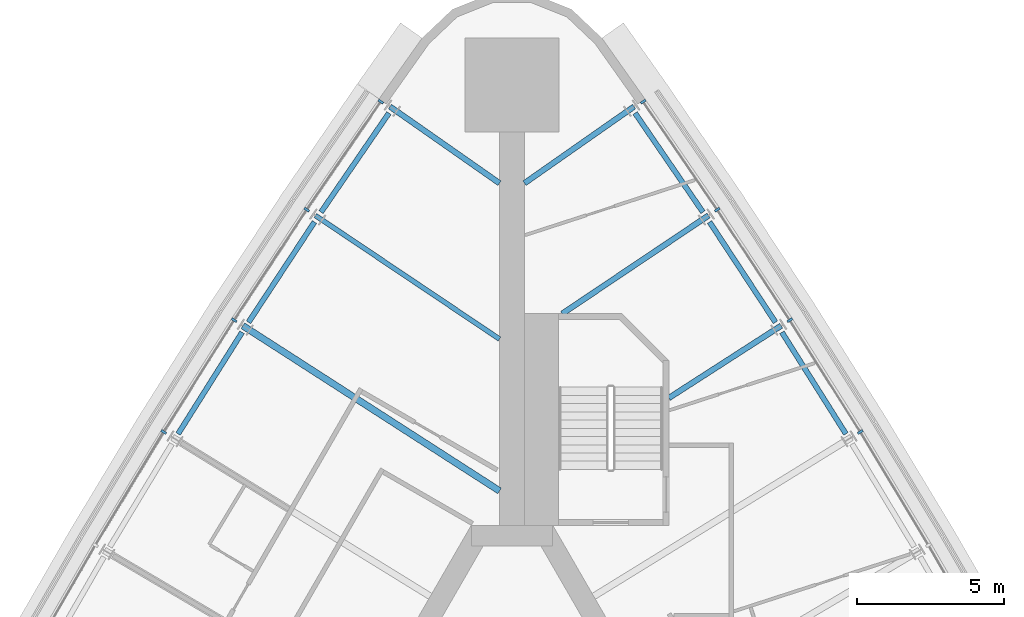
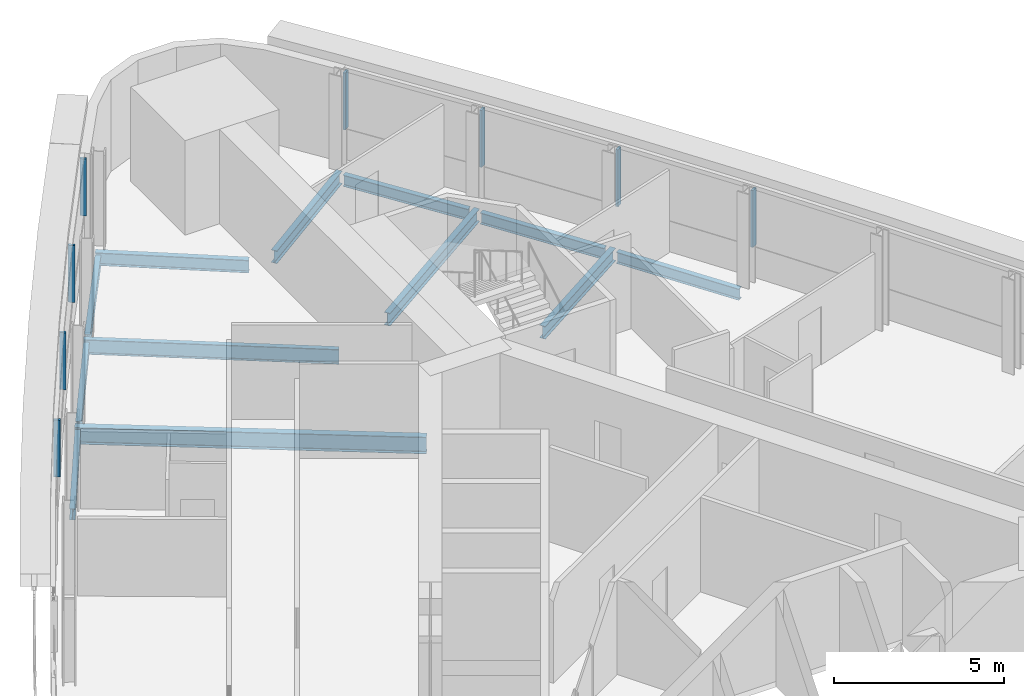
# One storey, part 7 of 14: 12 beams, 8 members, 2 elements without a shape of their own.
"""IFC4 building model written with IfcOpenShell, lengths in metres."""

from ifc_helpers import new_model, si_unit, direction, frame, origin, origin_2d, place, context, subcontext, project, spatial, rectangle, i_section, extrude, material, material_profile, profile_set, type_object, element, aggregate, save


model = new_model("IFC4")

# Units and contexts
model_context = context("Model", 3, precision=1e-05, world=origin(), true_north=direction((0.0, 1.0)))
body_context = subcontext(model_context, "Body", "Model", "MODEL_VIEW")
ifc_project = project(units=[si_unit("LENGTHUNIT", "METRE"), si_unit("AREAUNIT", "SQUARE_METRE"), si_unit("VOLUMEUNIT", "CUBIC_METRE"), si_unit("PLANEANGLEUNIT", "RADIAN"), si_unit("MASSUNIT", "GRAM", prefix="KILO")], contexts=[model_context])

# Site, building, storey
site_placement = place(None, origin())
site = spatial("IfcSite", under=ifc_project, at=site_placement, CompositionType="ELEMENT")
building_placement = place(site_placement, origin())
building = spatial("IfcBuilding", under=site, at=building_placement, Name="Noor Cloister Tower", CompositionType="ELEMENT")
storey_placement = place(building_placement, frame((0.0, 0.0, 72.60009765625)))
storey = spatial("IfcBuildingStorey", under=building, at=storey_placement, Name="L18", CompositionType="ELEMENT", Elevation=72.60009765625)

# Curtain wall, members
ifc_material_1 = material(Name="Aluminium 6063-T6 anodised", Category="aluminium")
curtain_wall_type = type_object("IfcCurtainWallType", Name="Ribbon curtain wall, lower tower CW1", PredefinedType="NOTDEFINED", material=ifc_material_1)
curtain_wall_1_placement = place(storey_placement, origin())
curtain_wall_1 = element("IfcCurtainWall", 1, at=curtain_wall_1_placement, inside=storey, type_object=curtain_wall_type, Name="CW1 L18 NW run 1", PredefinedType="NOTDEFINED")
ifc_material_2 = material(Name="Aluminium 6063-T6 anodised", Category="aluminium")
ifc_material_profile_1 = material_profile(ifc_material_2, rectangle(XDim=0.199951171875, YDim=0.080078125, at=origin_2d()), Name="200 x 80 mullion")
ifc_profile_set_1 = profile_set([ifc_material_profile_1], Name="Aluminium 6063-T6 anodised")
member_type = type_object("IfcMemberType", Name="Mullion CW1 80 x 200", PredefinedType="MULLION", material=ifc_profile_set_1)
member_1_placement = place(storey_placement, frame((-4.46435546875, 25.875732421875, 1.099853515625), z_axis=(0.0, 0.0, 1.0), x_axis=(0.82490173468, -0.56527615209, 0.0)))
member_1 = element("IfcMember", 2, at=member_1_placement, type_object=member_type, Name="CW1 mullion 1", PredefinedType="MULLION", context=body_context, shape_type="SweptSolid", body=[
    extrude(rectangle(XDim=0.199951171875, YDim=0.080078125, at=origin_2d()), origin(), (0.0, 0.0, 1.0), 2.050048828125),
])
member_2_placement = place(storey_placement, frame((-6.98486328125, 22.197509765625, 1.099853515625), z_axis=(0.0, 0.0, 1.0), x_axis=(0.830316014235, -0.557292846272, 0.0)))
member_2 = element("IfcMember", 3, at=member_2_placement, type_object=member_type, Name="CW1 mullion 2", PredefinedType="MULLION", context=body_context, shape_type="SweptSolid", body=[
    extrude(rectangle(XDim=0.199951171875, YDim=0.080078125, at=origin_2d()), origin(), (0.0, 0.0, 1.0), 2.050048828125),
])
member_3_placement = place(storey_placement, frame((-9.455322265625, 18.43896484375, 1.099853515625), z_axis=(0.0, 0.0, 1.0), x_axis=(0.840912290577, -0.541171432687, 0.0)))
member_3 = element("IfcMember", 4, at=member_3_placement, type_object=member_type, Name="CW1 mullion 3", PredefinedType="MULLION", context=body_context, shape_type="SweptSolid", body=[
    extrude(rectangle(XDim=0.199951171875, YDim=0.080078125, at=origin_2d()), origin(), (0.0, 0.0, 1.0), 2.050048828125),
])
member_4_placement = place(storey_placement, frame((-11.85302734375, 14.633056640625, 1.099853515625), z_axis=(0.0, 0.0, 1.0), x_axis=(0.851195604462, -0.524848590496, 0.0)))
member_4 = element("IfcMember", 5, at=member_4_placement, type_object=member_type, Name="CW1 mullion 4", PredefinedType="MULLION", context=body_context, shape_type="SweptSolid", body=[
    extrude(rectangle(XDim=0.199951171875, YDim=0.080078125, at=origin_2d()), origin(), (0.0, 0.0, 1.0), 2.050048828125),
])
aggregate(curtain_wall_1, [member_1, member_2, member_3, member_4])

curtain_wall_2_placement = place(storey_placement, origin())
curtain_wall_2 = element("IfcCurtainWall", 6, at=curtain_wall_2_placement, inside=storey, type_object=curtain_wall_type, Name="CW1 L18 NE run 3", PredefinedType="NOTDEFINED")
member_5_placement = place(storey_placement, frame((11.85302734375, 14.633056640625, 1.099853515625), z_axis=(0.0, 0.0, 1.0), x_axis=(-0.851195604462, -0.524848590496, 0.0)))
member_5 = element("IfcMember", 7, at=member_5_placement, type_object=member_type, Name="CW1 mullion 7", PredefinedType="MULLION", context=body_context, shape_type="SweptSolid", body=[
    extrude(rectangle(XDim=0.199951171875, YDim=0.080078125, at=origin_2d()), origin(), (0.0, 0.0, 1.0), 2.050048828125),
])
member_6_placement = place(storey_placement, frame((9.455322265625, 18.43896484375, 1.099853515625), z_axis=(0.0, 0.0, 1.0), x_axis=(-0.840912290577, -0.541171432687, 0.0)))
member_6 = element("IfcMember", 8, at=member_6_placement, type_object=member_type, Name="CW1 mullion 8", PredefinedType="MULLION", context=body_context, shape_type="SweptSolid", body=[
    extrude(rectangle(XDim=0.199951171875, YDim=0.080078125, at=origin_2d()), origin(), (0.0, 0.0, 1.0), 2.050048828125),
])
member_7_placement = place(storey_placement, frame((6.98486328125, 22.197509765625, 1.099853515625), z_axis=(0.0, 0.0, 1.0), x_axis=(-0.830316014235, -0.557292846272, 0.0)))
member_7 = element("IfcMember", 9, at=member_7_placement, type_object=member_type, Name="CW1 mullion 9", PredefinedType="MULLION", context=body_context, shape_type="SweptSolid", body=[
    extrude(rectangle(XDim=0.199951171875, YDim=0.080078125, at=origin_2d()), origin(), (0.0, 0.0, 1.0), 2.050048828125),
])
member_8_placement = place(storey_placement, frame((4.46435546875, 25.875732421875, 1.099853515625), z_axis=(0.0, 0.0, 1.0), x_axis=(-0.82490173468, -0.56527615209, 0.0)))
member_8 = element("IfcMember", 10, at=member_8_placement, type_object=member_type, Name="CW1 mullion 10", PredefinedType="MULLION", context=body_context, shape_type="SweptSolid", body=[
    extrude(rectangle(XDim=0.199951171875, YDim=0.080078125, at=origin_2d()), origin(), (0.0, 0.0, 1.0), 2.050048828125),
])
aggregate(curtain_wall_2, [member_5, member_6, member_7, member_8])

# Beams
ifc_material_3 = material(Name="Steel ASTM A992 Gr 50", Category="steel")
ifc_material_profile_2 = material_profile(ifc_material_3, i_section(OverallWidth=0.19091796875, OverallDepth=0.45703125, WebThickness=0.009033203125, FlangeThickness=0.014404296875, FilletRadius=0.01025390625, at=origin_2d()), Name="W460x74")
ifc_profile_set_2 = profile_set([ifc_material_profile_2], Name="Steel ASTM A992 Gr 50")
beam_type_1 = type_object("IfcBeamType", Name="Radial beam W460x74", PredefinedType="BEAM", material=ifc_profile_set_2)
beam_1_placement = place(storey_placement, frame((-4.153076171875, 25.705810546875, -0.4287109375), z_axis=(0.819408351842, -0.573210217051, 0.0), x_axis=(0.573210217051, 0.819408351842, 0.0)))
element("IfcBeam", 11, at=beam_1_placement, inside=storey, type_object=beam_type_1, Name="Radial beam NW 01 L18", PredefinedType="BEAM", context=body_context, shape_type="SweptSolid", body=[
    extrude(i_section(OverallWidth=0.19091796875, OverallDepth=0.45703125, WebThickness=0.009033203125, FlangeThickness=0.014404296875, FilletRadius=0.01025390625, at=origin_2d()), origin(), (0.0, 0.0, 1.0), 4.549560546875),
])
beam_2_placement = place(storey_placement, frame((9.158447265625, 18.247802734375, -0.4287109375), z_axis=(-0.840906162244, -0.541180955226, 0.0), x_axis=(0.541180955226, -0.840906162244, 0.0)))
element("IfcBeam", 12, at=beam_2_placement, inside=storey, type_object=beam_type_1, Name="Radial beam NE 08 L18", PredefinedType="BEAM", context=body_context, shape_type="SweptSolid", body=[
    extrude(i_section(OverallWidth=0.19091796875, OverallDepth=0.45703125, WebThickness=0.009033203125, FlangeThickness=0.014404296875, FilletRadius=0.01025390625, at=origin_2d()), origin(), (0.0, 0.0, 1.0), 4.5458984375),
])
beam_3_placement = place(storey_placement, frame((6.691650390625, 22.0009765625, -0.4287109375), z_axis=(-0.830312566173, -0.557297983538, 0.0), x_axis=(0.557297983538, -0.830312566173, 0.0)))
element("IfcBeam", 13, at=beam_3_placement, inside=storey, type_object=beam_type_1, Name="Radial beam NE 09 L18", PredefinedType="BEAM", context=body_context, shape_type="SweptSolid", body=[
    extrude(i_section(OverallWidth=0.19091796875, OverallDepth=0.45703125, WebThickness=0.009033203125, FlangeThickness=0.014404296875, FilletRadius=0.01025390625, at=origin_2d()), origin(), (0.0, 0.0, 1.0), 6.001220703125),
])
beam_4_placement = place(storey_placement, frame((4.153076171875, 25.705810546875, -0.4287109375), z_axis=(-0.819408351842, -0.573210217051, 0.0), x_axis=(0.573210217051, -0.819408351842, 0.0)))
element("IfcBeam", 14, at=beam_4_placement, inside=storey, type_object=beam_type_1, Name="Radial beam NE 10 L18", PredefinedType="BEAM", context=body_context, shape_type="SweptSolid", body=[
    extrude(i_section(OverallWidth=0.19091796875, OverallDepth=0.45703125, WebThickness=0.009033203125, FlangeThickness=0.014404296875, FilletRadius=0.01025390625, at=origin_2d()), origin(), (0.0, 0.0, 1.0), 4.549560546875),
])
ifc_material_4 = material(Name="Steel ASTM A992 Gr 50", Category="steel")
ifc_material_profile_3 = material_profile(ifc_material_4, i_section(OverallWidth=0.166015625, OverallDepth=0.528076171875, WebThickness=0.009765625, FlangeThickness=0.013671875, FilletRadius=0.0126953125, at=origin_2d()), Name="W530x74")
ifc_profile_set_3 = profile_set([ifc_material_profile_3], Name="Steel ASTM A992 Gr 50")
beam_type_2 = type_object("IfcBeamType", Name="Radial beam W530x74", PredefinedType="BEAM", material=ifc_profile_set_3)
beam_5_placement = place(storey_placement, frame((-6.691650390625, 22.0009765625, -0.464111328125), z_axis=(0.830299395912, -0.557317605274, 0.0), x_axis=(0.557317605274, 0.830299395912, 0.0)))
element("IfcBeam", 15, at=beam_5_placement, inside=storey, type_object=beam_type_2, Name="Radial beam NW 02 L18", PredefinedType="BEAM", context=body_context, shape_type="SweptSolid", body=[
    extrude(i_section(OverallWidth=0.166015625, OverallDepth=0.528076171875, WebThickness=0.009765625, FlangeThickness=0.013671875, FilletRadius=0.0126953125, at=origin_2d()), origin(), (0.0, 0.0, 1.0), 7.54736328125),
])
ifc_material_5 = material(Name="Steel ASTM A992 Gr 50", Category="steel")
ifc_material_profile_4 = material_profile(ifc_material_5, i_section(OverallWidth=0.22802734375, OverallDepth=0.60205078125, WebThickness=0.010498046875, FlangeThickness=0.014892578125, FilletRadius=0.0126953125, at=origin_2d()), Name="W610x101")
ifc_profile_set_4 = profile_set([ifc_material_profile_4], Name="Steel ASTM A992 Gr 50")
beam_type_3 = type_object("IfcBeamType", Name="Radial beam W610x101", PredefinedType="BEAM", material=ifc_profile_set_4)
beam_6_placement = place(storey_placement, frame((-9.158447265625, 18.247802734375, -0.5009765625), z_axis=(0.840903407515, -0.541185235598, 0.0), x_axis=(0.541185235598, 0.840903407515, 0.0)))
element("IfcBeam", 16, at=beam_6_placement, inside=storey, type_object=beam_type_3, Name="Radial beam NW 03 L18", PredefinedType="BEAM", context=body_context, shape_type="SweptSolid", body=[
    extrude(i_section(OverallWidth=0.22802734375, OverallDepth=0.60205078125, WebThickness=0.010498046875, FlangeThickness=0.014892578125, FilletRadius=0.0126953125, at=origin_2d()), origin(), (0.0, 0.0, 1.0), 10.3857421875),
])
ifc_material_6 = material(Name="Steel ASTM A992 Gr 50", Category="steel")
ifc_material_profile_5 = material_profile(ifc_material_6, i_section(OverallWidth=0.177978515625, OverallDepth=0.406005859375, WebThickness=0.0078125, FlangeThickness=0.0126953125, FilletRadius=0.01025390625, at=origin_2d()), Name="W410x60")
ifc_profile_set_5 = profile_set([ifc_material_profile_5], Name="Steel ASTM A992 Gr 50")
beam_type_4 = type_object("IfcBeamType", Name="Spandrel beam W410x60", PredefinedType="SPANDREL", material=ifc_profile_set_5)
for number, where, z_axis, x_axis, name in (
    (17, (-4.187744140625, 25.4833984375, -0.403076171875), (-0.56528792339, -0.824893668099, 0.0), (0.824893668099, -0.56528792339, 0.0), "Spandrel beam NW 01 L18"),
    (18, (-6.72216796875, 21.778076171875, -0.403076171875), (-0.54926851385, -0.835645917655, 0.0), (0.835645917655, -0.54926851385, 0.0), "Spandrel beam NW 02 L18"),
):
    element("IfcBeam", number, at=place(storey_placement, frame(where, z_axis=z_axis, x_axis=x_axis)), inside=storey, type_object=beam_type_4, Name=name, PredefinedType="SPANDREL", context=body_context, shape_type="SweptSolid", body=[
        extrude(i_section(OverallWidth=0.177978515625, OverallDepth=0.406005859375, WebThickness=0.0078125, FlangeThickness=0.0126953125, FilletRadius=0.01025390625, at=origin_2d()), origin(), (0.0, 0.0, 1.0), 4.085205078125),
    ])
for number, where, z_axis, x_axis, name in (
    (19, (-9.1845703125, 18.0244140625, -0.403076171875), (-0.533057335155, -0.846079120081, 0.0), (0.846079120081, -0.533057335155, 0.0), "Spandrel beam NW 03 L18"),
    (20, (11.3623046875, 14.56787109375, -0.403076171875), (-0.533057335155, 0.846079120081, 0.0), (-0.846079120081, -0.533057335155, 0.0), "Spandrel beam NE 07 L18"),
):
    element("IfcBeam", number, at=place(storey_placement, frame(where, z_axis=z_axis, x_axis=x_axis)), inside=storey, type_object=beam_type_4, Name=name, PredefinedType="SPANDREL", context=body_context, shape_type="SweptSolid", body=[
        extrude(i_section(OverallWidth=0.177978515625, OverallDepth=0.406005859375, WebThickness=0.0078125, FlangeThickness=0.0126953125, FilletRadius=0.01025390625, at=origin_2d()), origin(), (0.0, 0.0, 1.0), 4.08544921875),
    ])
for number, where, z_axis, x_axis, name in (
    (21, (8.966064453125, 18.3642578125, -0.403076171875), (-0.54926851385, 0.835645917655, 0.0), (-0.835645917655, -0.54926851385, 0.0), "Spandrel beam NE 08 L18"),
    (22, (6.4970703125, 22.113525390625, -0.403076171875), (-0.56528792339, 0.824893668099, 0.0), (-0.824893668099, -0.56528792339, 0.0), "Spandrel beam NE 09 L18"),
):
    element("IfcBeam", number, at=place(storey_placement, frame(where, z_axis=z_axis, x_axis=x_axis)), inside=storey, type_object=beam_type_4, Name=name, PredefinedType="SPANDREL", context=body_context, shape_type="SweptSolid", body=[
        extrude(i_section(OverallWidth=0.177978515625, OverallDepth=0.406005859375, WebThickness=0.0078125, FlangeThickness=0.0126953125, FilletRadius=0.01025390625, at=origin_2d()), origin(), (0.0, 0.0, 1.0), 4.085205078125),
    ])

save(model, "model.ifc")
